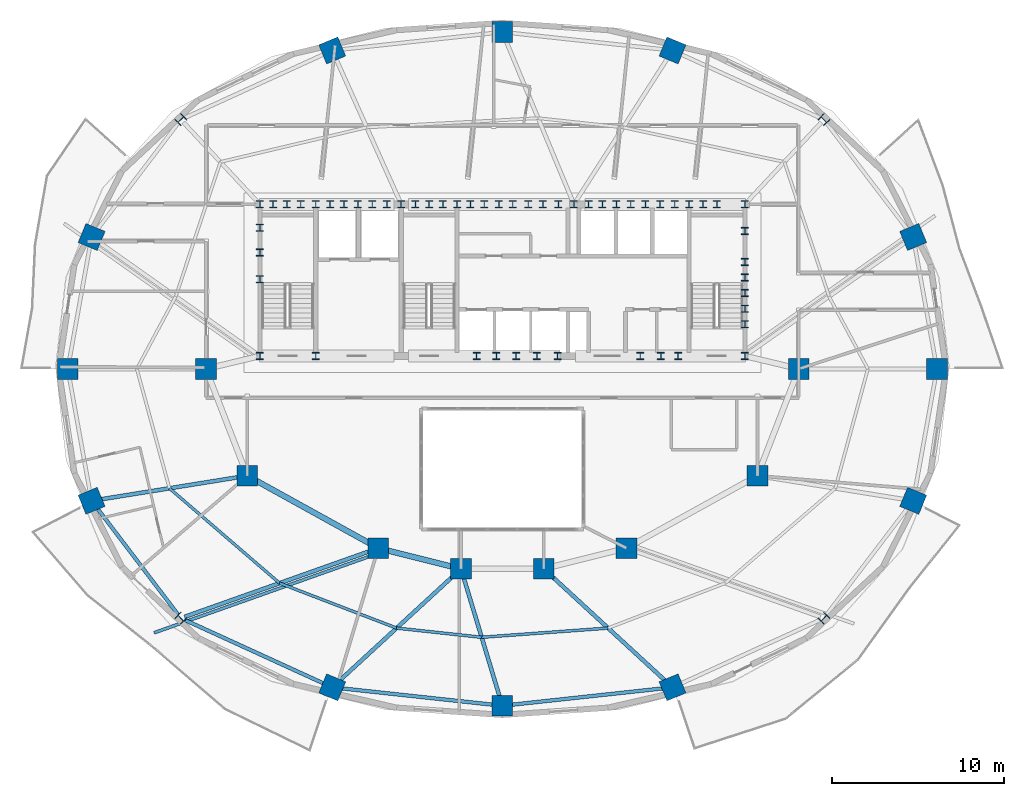
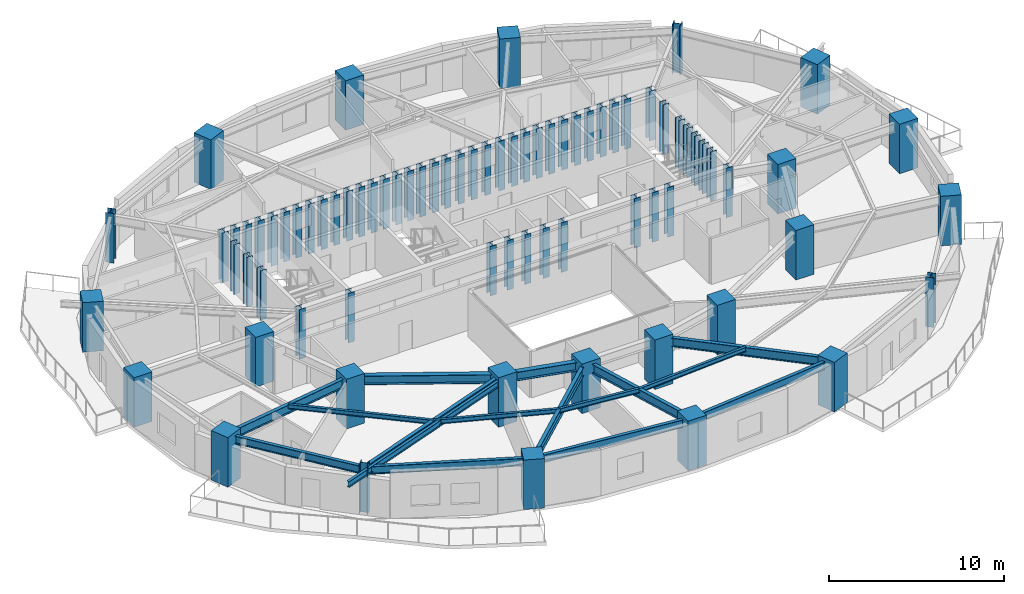
# One storey, part 1 of 13: 78 columns, 16 beams.
"""IFC4 building model written with IfcOpenShell, lengths in metres."""

import ifcopenshell
import ifcopenshell.guid

model = None  # the IFC model being written
_history = None  # IfcOwnerHistory: only IFC2X3 demands one
_inside = {}  # id of a spatial element -> (the spatial element, [elements in it])
_under = {}  # id of a project, library or spatial element -> (it, [spatial elements below it])
_declared = {}  # id of a project -> (the project, [libraries it declares])
_typed = {}  # id of a type object -> (the type object, [elements of that type])
_made_of = {}  # id of a material, layer set ... -> (it, [elements and type objects made of it])


def new_model(schema):
    """Start an empty IFC model of exactly this schema.

    Asked for "IFC4X3", IfcOpenShell would pick the latest addendum, in which some entities
    have other attributes; the version numbers below select the first issue.
    IFC2X3 requires an IfcOwnerHistory on every rooted entity: one is made here for all.
    """
    global model, _history
    if schema == "IFC4X3":
        model = ifcopenshell.file(schema_version=(4, 3, 0, 0))
    else:
        model = ifcopenshell.file(schema=schema)
    _inside.clear()
    _under.clear()
    _declared.clear()
    _typed.clear()
    _made_of.clear()
    _history = None
    if model.schema == "IFC2X3":
        org = make("IfcOrganization", Name="unknown")
        user = make(
            "IfcPersonAndOrganization",
            ThePerson=make("IfcPerson", FamilyName="unknown"),
            TheOrganization=org,
        )
        app = make(
            "IfcApplication",
            ApplicationDeveloper=org,
            Version="unknown",
            ApplicationFullName="unknown",
            ApplicationIdentifier="unknown",
        )
        _history = make(
            "IfcOwnerHistory",
            OwningUser=user,
            OwningApplication=app,
            ChangeAction="ADDED",
            CreationDate=0,
        )
    return model


def make(cls, **values):
    """One entity of the class cls with the attributes given. An attribute that is None is left unset."""
    return model.create_entity(
        cls, **{name: value for name, value in values.items() if value is not None}
    )


def rooted(cls, **values):
    """An entity with a GlobalId (a new one), such as an element, a storey or a relation."""
    return make(cls, GlobalId=ifcopenshell.guid.new(), OwnerHistory=_history, **values)


def si_unit(unit_type, name, prefix=None):
    """IfcSIUnit, for example si_unit("LENGTHUNIT", "METRE", prefix="MILLI")."""
    return make("IfcSIUnit", UnitType=unit_type, Prefix=prefix, Name=name)


def assignment(units):
    """IfcUnitAssignment: the units of a project."""
    return None if units is None else make("IfcUnitAssignment", Units=units)


def point(xyz):
    """IfcCartesianPoint."""
    return None if xyz is None else make("IfcCartesianPoint", Coordinates=xyz)


def direction(xyz):
    """IfcDirection."""
    return None if xyz is None else make("IfcDirection", DirectionRatios=xyz)


def frame(location, z_axis=None, x_axis=None):
    """IfcAxis2Placement3D, a coordinate frame: its origin and axes. An axis left out is left unset."""
    return make(
        "IfcAxis2Placement3D",
        Location=point(location),
        Axis=direction(z_axis),
        RefDirection=direction(x_axis),
    )


def frame_2d(location, x_axis=None):
    """IfcAxis2Placement2D, a coordinate frame in the plane: its origin and x axis."""
    return make(
        "IfcAxis2Placement2D", Location=point(location), RefDirection=direction(x_axis)
    )


def origin():
    """The frame at (0, 0, 0) with its axes left unset."""
    return frame((0.0, 0.0, 0.0))


def origin_2d():
    """The frame at (0, 0) in the plane with its x axis left unset."""
    return frame_2d((0.0, 0.0))


def place(relative_to, where):
    """IfcLocalPlacement: puts the frame where relative to a parent placement (None: the world)."""
    return make(
        "IfcLocalPlacement", PlacementRelTo=relative_to, RelativePlacement=where
    )


def context(
    kind, dimensions, precision=None, world=None, true_north=None, identifier=None
):
    """IfcGeometricRepresentationContext, for example the 3D "Model" context."""
    return make(
        "IfcGeometricRepresentationContext",
        ContextIdentifier=identifier,
        ContextType=kind,
        CoordinateSpaceDimension=dimensions,
        Precision=precision,
        WorldCoordinateSystem=world,
        TrueNorth=true_north,
    )


def subcontext(parent, identifier, kind, view, scale=None):
    """IfcGeometricRepresentationSubContext, for example "Body" below "Model"."""
    return make(
        "IfcGeometricRepresentationSubContext",
        ContextIdentifier=identifier,
        ContextType=kind,
        ParentContext=parent,
        TargetScale=scale,
        TargetView=view,
    )


def project(units=None, contexts=None):
    """IfcProject with its units and contexts."""
    return rooted(
        "IfcProject",
        Name="project",
        RepresentationContexts=contexts,
        UnitsInContext=assignment(units),
    )


def spatial(cls, under=None, at=None, **own):
    """A site, building, storey or space (cls), placed at a placement, below another one or the project."""
    s = rooted(cls, ObjectPlacement=at, **own)
    if under is not None:
        _under.setdefault(under.id(), (under, []))[1].append(s)
    return s


def profile(cls, at=None, kind="AREA", **sizes):
    """A parametric profile (cls). Its sizes go by their IFC names, for example OverallWidth=200.0."""
    return make(cls, ProfileType=kind, Position=at, **sizes)


def rectangle(**sizes):
    """IfcRectangleProfileDef."""
    return profile("IfcRectangleProfileDef", **sizes)


def i_section(**sizes):
    """IfcIShapeProfileDef."""
    return profile("IfcIShapeProfileDef", **sizes)


def extrude(swept, where, along, depth):
    """IfcExtrudedAreaSolid: the profile swept, set in the frame where, extruded along a direction by depth."""
    return make(
        "IfcExtrudedAreaSolid",
        SweptArea=swept,
        Position=where,
        ExtrudedDirection=direction(along),
        Depth=depth,
    )


def shape(context_of_items, identifier, shape_type, items):
    """IfcShapeRepresentation: the items that make up one representation, for example the "Body"."""
    return make(
        "IfcShapeRepresentation",
        ContextOfItems=context_of_items,
        RepresentationIdentifier=identifier,
        RepresentationType=shape_type,
        Items=items,
    )


def material(Name=None, Category=None):
    """IfcMaterial."""
    return make("IfcMaterial", Name=Name, Category=Category)


def material_profile(
    of_material, cross_section, Name=None, Category=None, Priority=None
):
    """IfcMaterialProfile: a cross section and its material."""
    return make(
        "IfcMaterialProfile",
        Name=Name,
        Material=of_material,
        Profile=cross_section,
        Priority=Priority,
        Category=Category,
    )


def profile_set(profiles, Name=None, composite=None):
    """IfcMaterialProfileSet."""
    return make(
        "IfcMaterialProfileSet",
        Name=Name,
        MaterialProfiles=profiles,
        CompositeProfile=composite,
    )


def made_of(thing, what):
    """Note that an element or type object is made of a material, layer set ...; save() writes the relation."""
    if what is not None:
        _made_of.setdefault(what.id(), (what, []))[1].append(thing)
    return thing


def type_object(cls, material=None, **own):
    """A type object (cls), such as IfcWallType, which elements share."""
    return made_of(rooted(cls, **own), material)


def element(
    cls,
    number,
    at=None,
    inside=None,
    cuts=None,
    type_object=None,
    material=None,
    context=None,
    identifier="Body",
    shape_type=None,
    held_by="IfcProductDefinitionShape",
    body=None,
    shapes=None,
    **own,
):
    """One element of the class cls, such as IfcWall. Its Tag is "e" and its number.

    at: its placement. inside: the storey or other place that contains it. cuts: it is an
    opening in that element (IfcRelVoidsElement). A single representation is given by context,
    identifier, shape_type and body (its items); several are given by shapes. held_by: the class
    of the entity that holds the representations. save() writes the other relations.
    """
    e = rooted(cls, Tag="e%d" % number, ObjectPlacement=at, **own)
    if body is not None:
        shapes = [shape(context, identifier, shape_type, body)]
    if shapes is not None:
        e.Representation = make(held_by, Representations=shapes)
    if inside is not None:
        _inside.setdefault(inside.id(), (inside, []))[1].append(e)
    if cuts is not None:
        rooted(
            "IfcRelVoidsElement", RelatingBuildingElement=cuts, RelatedOpeningElement=e
        )
    if type_object is not None:
        _typed.setdefault(type_object.id(), (type_object, []))[1].append(e)
    return made_of(e, material)


def aggregate(whole, parts):
    """IfcRelAggregates: a whole, such as a stair, and the parts it consists of."""
    return rooted("IfcRelAggregates", RelatingObject=whole, RelatedObjects=parts)


def save(model, path):
    """Write the relations noted so far, then the file.

    IfcRelAggregates (storeys below a building ...), IfcRelContainedInSpatialStructure (elements
    in a storey), IfcRelDefinesByType, IfcRelAssociatesMaterial and IfcRelDeclares: one each for
    every whole, place, type object, material and project.
    """
    for whole, parts in _under.values():
        aggregate(whole, parts)
    for where, things in _inside.values():
        rooted(
            "IfcRelContainedInSpatialStructure",
            RelatedElements=things,
            RelatingStructure=where,
        )
    for kind, things in _typed.values():
        rooted("IfcRelDefinesByType", RelatedObjects=things, RelatingType=kind)
    for what, things in _made_of.values():
        rooted("IfcRelAssociatesMaterial", RelatedObjects=things, RelatingMaterial=what)
    for by, libraries in _declared.values():
        rooted("IfcRelDeclares", RelatingContext=by, RelatedDefinitions=libraries)
    model.write(path)


model = new_model("IFC4")

# Units and contexts
model_context = context("Model", 3, precision=1e-05, world=origin(), true_north=direction((0.0, 1.0)))
body_context = subcontext(model_context, "Body", "Model", "MODEL_VIEW")
ifc_project = project(units=[si_unit("LENGTHUNIT", "METRE"), si_unit("AREAUNIT", "SQUARE_METRE"), si_unit("VOLUMEUNIT", "CUBIC_METRE"), si_unit("PLANEANGLEUNIT", "RADIAN"), si_unit("MASSUNIT", "GRAM", prefix="KILO")], contexts=[model_context])

# Site, building, storey
site_placement = place(None, origin())
site = spatial("IfcSite", under=ifc_project, at=site_placement, CompositionType="ELEMENT")
building_placement = place(site_placement, origin())
building = spatial("IfcBuilding", under=site, at=building_placement, Name="Haldorwick Loom Tower", CompositionType="ELEMENT")
storey_placement = place(building_placement, frame((0.0, 0.0, 175.14990234375)))
storey = spatial("IfcBuildingStorey", under=building, at=storey_placement, Name="L47", CompositionType="ELEMENT", Elevation=175.14990234375)

# Columns
ifc_material_1 = material(Name="Concrete C60 (60 MPa)", Category="concrete")
ifc_material_profile_1 = material_profile(ifc_material_1, rectangle(XDim=1.199951171875, YDim=1.199951171875, at=origin_2d()), Name="RC1200X1200", Category="concrete")
ifc_profile_set_1 = profile_set([ifc_material_profile_1], Name="Concrete C60 (60 MPa)")
column_type_1 = type_object("IfcColumnType", Name="STR-COL-RC1200", PredefinedType="COLUMN", material=ifc_profile_set_1)
for number, where, z_axis, x_axis, name in (
    (1, (53.199951171875, 26.0, 0.0), (0.0, 0.0, 1.0), (1.0, 0.0, 0.0), "L47 Inner Column IC-01"),
    (2, (50.800048828125, 19.800048828125, 0.0), (0.0, 0.0, 1.0), (1.0, 0.0, 0.0), "L47 Inner Column IC-02"),
    (3, (43.199951171875, 15.60009765625, 0.0), (0.0, 0.0, 1.0), (1.0, 0.0, 0.0), "L47 Inner Column IC-03"),
    (4, (38.39990234375, 14.39990234375, 0.0), (0.0, 0.0, 1.0), (1.0, 0.0, 0.0), "L47 Inner Column IC-04"),
    (5, (33.60009765625, 14.39990234375, 0.0), (0.0, 0.0, 1.0), (1.0, 0.0, 0.0), "L47 Inner Column IC-05"),
    (6, (28.800048828125, 15.60009765625, 0.0), (0.0, 0.0, 1.0), (1.0, 0.0, 0.0), "L47 Inner Column IC-06"),
    (7, (21.199951171875, 19.800048828125, 0.0), (0.0, 0.0, 1.0), (1.0, 0.0, 0.0), "L47 Inner Column IC-07"),
    (8, (18.800048828125, 26.0, 0.0), (0.0, 0.0, 1.0), (1.0, 0.0, 0.0), "L47 Inner Column IC-08"),
    (9, (61.217041015625, 26.0, 0.0), (0.0, 0.0, 1.0), (1.0, 0.0, 0.0), "L47 Perimeter Pier Column P01"),
    (10, (59.836181640625, 33.65380859375, 0.0), (0.0, 0.0, 1.0), (0.923879532511, 0.382683432365, 0.0), "L47 Perimeter Pier Column P02"),
    (11, (45.873291015625, 44.4775390625, 0.0), (0.0, 0.0, 1.0), (0.382683432365, 0.923879532511, 0.0), "L47 Perimeter Pier Column P04"),
    (12, (36.0, 45.544677734375, 0.0), (0.0, 0.0, 1.0), (0.0, 1.0, 0.0), "L47 Perimeter Pier Column P05"),
    (13, (26.126708984375, 44.4775390625, 0.0), (0.0, 0.0, 1.0), (-0.382683432365, 0.923879532511, 0.0), "L47 Perimeter Pier Column P06"),
    (14, (12.163818359375, 33.65380859375, 0.0), (0.0, 0.0, 1.0), (-0.923879532511, 0.382683432365, 0.0), "L47 Perimeter Pier Column P08"),
    (15, (10.782958984375, 26.0, 0.0), (0.0, 0.0, 1.0), (-1.0, 0.0, 0.0), "L47 Perimeter Pier Column P09"),
    (16, (12.163818359375, 18.34619140625, 0.0), (0.0, 0.0, 1.0), (-0.923879532511, -0.382683432365, 0.0), "L47 Perimeter Pier Column P10"),
    (17, (26.126708984375, 7.5224609375, 0.0), (0.0, 0.0, 1.0), (-0.382683432365, -0.923879532511, 0.0), "L47 Perimeter Pier Column P12"),
    (18, (36.0, 6.455322265625, 0.0), (0.0, 0.0, 1.0), (0.0, -1.0, 0.0), "L47 Perimeter Pier Column P13"),
    (19, (45.873291015625, 7.5224609375, 0.0), (0.0, 0.0, 1.0), (0.382683432365, -0.923879532511, 0.0), "L47 Perimeter Pier Column P14"),
    (20, (59.836181640625, 18.34619140625, 0.0), (0.0, 0.0, 1.0), (0.923879532511, -0.382683432365, 0.0), "L47 Perimeter Pier Column P16"),
):
    element("IfcColumn", number, at=place(storey_placement, frame(where, z_axis=z_axis, x_axis=x_axis)), inside=storey, type_object=column_type_1, Name=name, PredefinedType="COLUMN", context=body_context, shape_type="SweptSolid", body=[
        extrude(rectangle(XDim=1.199951171875, YDim=1.199951171875, at=origin_2d()), origin(), (0.0, 0.0, 1.0), 3.4501953125),
    ])
ifc_material_2 = material(Name="Steel CSA G40.21 350W", Category="steel")
ifc_material_profile_2 = material_profile(ifc_material_2, i_section(OverallWidth=0.406005859375, OverallDepth=0.416015625, WebThickness=0.024169921875, FlangeThickness=0.03857421875, at=origin_2d()), Name="W360X382", Category="steel")
ifc_profile_set_2 = profile_set([ifc_material_profile_2], Name="Steel CSA G40.21 350W")
column_type_2 = type_object("IfcColumnType", Name="STR-COL-W360X382", PredefinedType="COLUMN", material=ifc_profile_set_2)
for number, where, z_axis, x_axis, name in (
    (21, (21.929931640625, 35.550048828125, 0.0), (0.0, 0.0, 1.0), (1.0, 0.0, 0.0), "L47 Core Pilaster CB-01"),
    (22, (23.5, 35.550048828125, 0.0), (0.0, 0.0, 1.0), (1.0, 0.0, 0.0), "L47 Core Pilaster CB-02"),
    (23, (25.169921875, 35.550048828125, 0.0), (0.0, 0.0, 1.0), (1.0, 0.0, 0.0), "L47 Core Pilaster CB-03"),
    (24, (26.800048828125, 35.550048828125, 0.0), (0.0, 0.0, 1.0), (1.0, 0.0, 0.0), "L47 Core Pilaster CB-04"),
    (25, (28.449951171875, 35.550048828125, 0.0), (0.0, 0.0, 1.0), (1.0, 0.0, 0.0), "L47 Core Pilaster CB-05"),
    (26, (30.1298828125, 35.550048828125, 0.0), (0.0, 0.0, 1.0), (1.0, 0.0, 0.0), "L47 Core Pilaster CB-06"),
    (27, (31.75, 35.550048828125, 0.0), (0.0, 0.0, 1.0), (1.0, 0.0, 0.0), "L47 Core Pilaster CB-07"),
    (28, (33.3701171875, 35.550048828125, 0.0), (0.0, 0.0, 1.0), (1.0, 0.0, 0.0), "L47 Core Pilaster CB-08"),
    (29, (34.949951171875, 35.550048828125, 0.0), (0.0, 0.0, 1.0), (1.0, 0.0, 0.0), "L47 Core Pilaster CB-09"),
    (30, (36.60009765625, 35.550048828125, 0.0), (0.0, 0.0, 1.0), (1.0, 0.0, 0.0), "L47 Core Pilaster CB-10"),
    (31, (38.35009765625, 35.550048828125, 0.0), (0.0, 0.0, 1.0), (1.0, 0.0, 0.0), "L47 Core Pilaster CB-11"),
    (32, (40.14990234375, 35.550048828125, 0.0), (0.0, 0.0, 1.0), (1.0, 0.0, 0.0), "L47 Core Pilaster CB-12"),
    (33, (41.800048828125, 35.550048828125, 0.0), (0.0, 0.0, 1.0), (1.0, 0.0, 0.0), "L47 Core Pilaster CB-13"),
    (34, (43.449951171875, 35.550048828125, 0.0), (0.0, 0.0, 1.0), (1.0, 0.0, 0.0), "L47 Core Pilaster CB-14"),
    (35, (45.14990234375, 35.550048828125, 0.0), (0.0, 0.0, 1.0), (1.0, 0.0, 0.0), "L47 Core Pilaster CB-15"),
    (36, (46.830078125, 35.550048828125, 0.0), (0.0, 0.0, 1.0), (1.0, 0.0, 0.0), "L47 Core Pilaster CB-16"),
    (37, (48.449951171875, 35.550048828125, 0.0), (0.0, 0.0, 1.0), (1.0, 0.0, 0.0), "L47 Core Pilaster CB-17"),
    (38, (50.070068359375, 35.550048828125, 0.0), (0.0, 0.0, 1.0), (1.0, 0.0, 0.0), "L47 Core Pilaster CB-18"),
    (39, (21.929931640625, 26.75, 0.0), (0.0, 0.0, 1.0), (1.0, 0.0, 0.0), "L47 Core Pilaster CB-19"),
    (40, (25.169921875, 26.75, 0.0), (0.0, 0.0, 1.0), (1.0, 0.0, 0.0), "L47 Core Pilaster CB-20"),
    (41, (34.5, 26.75, 0.0), (0.0, 0.0, 1.0), (1.0, 0.0, 0.0), "L47 Core Pilaster CB-21"),
    (42, (36.800048828125, 26.75, 0.0), (0.0, 0.0, 1.0), (1.0, 0.0, 0.0), "L47 Core Pilaster CB-22"),
    (43, (39.199951171875, 26.75, 0.0), (0.0, 0.0, 1.0), (1.0, 0.0, 0.0), "L47 Core Pilaster CB-23"),
    (44, (45.199951171875, 26.75, 0.0), (0.0, 0.0, 1.0), (1.0, 0.0, 0.0), "L47 Core Pilaster CB-24"),
    (45, (50.070068359375, 26.75, 0.0), (0.0, 0.0, 1.0), (1.0, 0.0, 0.0), "L47 Core Pilaster CB-25"),
    (46, (21.929931640625, 31.199951171875, 0.0), (0.0, 0.0, 1.0), (1.0, 0.0, 0.0), "L47 Core Pilaster CB-26"),
    (47, (21.929931640625, 32.75, 0.0), (0.0, 0.0, 1.0), (1.0, 0.0, 0.0), "L47 Core Pilaster CB-27"),
    (48, (21.929931640625, 34.199951171875, 0.0), (0.0, 0.0, 1.0), (1.0, 0.0, 0.0), "L47 Core Pilaster CB-28"),
    (49, (50.070068359375, 28.60009765625, 0.0), (0.0, 0.0, 1.0), (1.0, 0.0, 0.0), "L47 Core Pilaster CB-29"),
    (50, (50.070068359375, 30.39990234375, 0.0), (0.0, 0.0, 1.0), (1.0, 0.0, 0.0), "L47 Core Pilaster CB-30"),
    (51, (50.070068359375, 32.199951171875, 0.0), (0.0, 0.0, 1.0), (1.0, 0.0, 0.0), "L47 Core Pilaster CB-31"),
    (52, (50.070068359375, 34.0, 0.0), (0.0, 0.0, 1.0), (1.0, 0.0, 0.0), "L47 Core Pilaster CB-32"),
    (53, (22.699951171875, 35.550048828125, 0.0), (0.0, 0.0, 1.0), (1.0, 0.0, 0.0), "L47 Core Pilaster CB-33"),
    (54, (27.6201171875, 35.550048828125, 0.0), (0.0, 0.0, 1.0), (1.0, 0.0, 0.0), "L47 Core Pilaster CB-34"),
    (55, (32.550048828125, 35.550048828125, 0.0), (0.0, 0.0, 1.0), (1.0, 0.0, 0.0), "L47 Core Pilaster CB-35"),
    (56, (37.5, 35.550048828125, 0.0), (0.0, 0.0, 1.0), (1.0, 0.0, 0.0), "L47 Core Pilaster CB-36"),
    (57, (42.6201171875, 35.550048828125, 0.0), (0.0, 0.0, 1.0), (1.0, 0.0, 0.0), "L47 Core Pilaster CB-37"),
    (58, (47.64990234375, 35.550048828125, 0.0), (0.0, 0.0, 1.0), (1.0, 0.0, 0.0), "L47 Core Pilaster CB-38"),
    (59, (24.300048828125, 35.550048828125, 0.0), (0.0, 0.0, 1.0), (1.0, 0.0, 0.0), "L47 Core Pilaster CB-39"),
    (60, (26.0, 35.550048828125, 0.0), (0.0, 0.0, 1.0), (1.0, 0.0, 0.0), "L47 Core Pilaster CB-40"),
    (61, (29.300048828125, 35.550048828125, 0.0), (0.0, 0.0, 1.0), (1.0, 0.0, 0.0), "L47 Core Pilaster CB-41"),
    (62, (30.949951171875, 35.550048828125, 0.0), (0.0, 0.0, 1.0), (1.0, 0.0, 0.0), "L47 Core Pilaster CB-42"),
    (63, (34.14990234375, 35.550048828125, 0.0), (0.0, 0.0, 1.0), (1.0, 0.0, 0.0), "L47 Core Pilaster CB-43"),
    (64, (35.800048828125, 35.550048828125, 0.0), (0.0, 0.0, 1.0), (1.0, 0.0, 0.0), "L47 Core Pilaster CB-44"),
    (65, (39.25, 35.550048828125, 0.0), (0.0, 0.0, 1.0), (1.0, 0.0, 0.0), "L47 Core Pilaster CB-45"),
    (66, (41.0, 35.550048828125, 0.0), (0.0, 0.0, 1.0), (1.0, 0.0, 0.0), "L47 Core Pilaster CB-46"),
    (67, (44.300048828125, 35.550048828125, 0.0), (0.0, 0.0, 1.0), (1.0, 0.0, 0.0), "L47 Core Pilaster CB-47"),
    (68, (46.0, 35.550048828125, 0.0), (0.0, 0.0, 1.0), (1.0, 0.0, 0.0), "L47 Core Pilaster CB-48"),
    (69, (50.070068359375, 29.5, 0.0), (0.0, 0.0, 1.0), (1.0, 0.0, 0.0), "L47 Core Pilaster CB-49"),
    (70, (50.070068359375, 31.300048828125, 0.0), (0.0, 0.0, 1.0), (1.0, 0.0, 0.0), "L47 Core Pilaster CB-50"),
    (71, (35.64990234375, 26.75, 0.0), (0.0, 0.0, 1.0), (1.0, 0.0, 0.0), "L47 Core Pilaster CB-51"),
    (72, (38.0, 26.75, 0.0), (0.0, 0.0, 1.0), (1.0, 0.0, 0.0), "L47 Core Pilaster CB-52"),
    (73, (44.0, 26.75, 0.0), (0.0, 0.0, 1.0), (1.0, 0.0, 0.0), "L47 Core Pilaster CB-53"),
    (74, (46.199951171875, 26.75, 0.0), (0.0, 0.0, 1.0), (1.0, 0.0, 0.0), "L47 Core Pilaster CB-54"),
):
    element("IfcColumn", number, at=place(storey_placement, frame(where, z_axis=z_axis, x_axis=x_axis)), inside=storey, type_object=column_type_2, Name=name, PredefinedType="COLUMN", context=body_context, shape_type="SweptSolid", body=[
        extrude(i_section(OverallWidth=0.406005859375, OverallDepth=0.416015625, WebThickness=0.024169921875, FlangeThickness=0.03857421875, at=origin_2d()), origin(), (0.0, 0.0, 1.0), 3.4501953125),
    ])
ifc_material_3 = material(Name="Steel CSA G40.21 350WT", Category="steel")
ifc_material_profile_3 = material_profile(ifc_material_3, i_section(OverallWidth=0.5, OverallDepth=0.5, WebThickness=0.02197265625, FlangeThickness=0.031982421875, at=origin_2d()), Name="WWF500X500", Category="steel")
ifc_profile_set_3 = profile_set([ifc_material_profile_3], Name="Steel CSA G40.21 350WT")
column_type_3 = type_object("IfcColumnType", Name="STR-COL-WWF500", PredefinedType="COLUMN", material=ifc_profile_set_3)
for number, where, z_axis, x_axis, name in (
    (75, (54.655517578125, 40.464111328125, 0.0), (0.0, 0.0, 1.0), (0.707106781187, 0.707106781187, 0.0), "L47 Perimeter Pier Column P03"),
    (76, (17.344482421875, 40.464111328125, 0.0), (0.0, 0.0, 1.0), (-0.707106781187, 0.707106781187, 0.0), "L47 Perimeter Pier Column P07"),
    (77, (17.344482421875, 11.535888671875, 0.0), (0.0, 0.0, 1.0), (-0.707106781187, -0.707106781187, 0.0), "L47 Perimeter Pier Column P11"),
    (78, (54.655517578125, 11.535888671875, 0.0), (0.0, 0.0, 1.0), (0.707106781187, -0.707106781187, 0.0), "L47 Perimeter Pier Column P15"),
):
    element("IfcColumn", number, at=place(storey_placement, frame(where, z_axis=z_axis, x_axis=x_axis)), inside=storey, type_object=column_type_3, Name=name, PredefinedType="COLUMN", context=body_context, shape_type="SweptSolid", body=[
        extrude(i_section(OverallWidth=0.5, OverallDepth=0.5, WebThickness=0.02197265625, FlangeThickness=0.031982421875, at=origin_2d()), origin(), (0.0, 0.0, 1.0), 3.4501953125),
    ])

# Beams
ifc_material_profile_4 = material_profile(ifc_material_2, i_section(OverallWidth=0.179931640625, OverallDepth=0.4130859375, WebThickness=0.009765625, FlangeThickness=0.01611328125, at=origin_2d()), Name="W410X74", Category="steel")
ifc_profile_set_4 = profile_set([ifc_material_profile_4], Name="Steel CSA G40.21 350W")
beam_type_1 = type_object("IfcBeamType", Name="STR-BM-BAL410", PredefinedType="BEAM", material=ifc_profile_set_4)
beam_1_placement = place(storey_placement, frame((28.403564453125, 15.162109375, 3.003662109375), z_axis=(-0.942447955832, -0.334352883266, 0.0), x_axis=(0.334352883266, -0.942447955832, 0.0)))
element("IfcBeam", 79, at=beam_1_placement, inside=storey, type_object=beam_type_1, Name="L47 Continuous Back-Spanned Balcony Beam 2", PredefinedType="BEAM", context=body_context, shape_type="SweptSolid", body=[
    extrude(i_section(OverallWidth=0.179931640625, OverallDepth=0.4130859375, WebThickness=0.009765625, FlangeThickness=0.01611328125, at=origin_2d()), origin(), (0.0, 0.0, 1.0), 13.385009765625),
])
ifc_material_profile_5 = material_profile(ifc_material_2, i_section(OverallWidth=0.166015625, OverallDepth=0.31298828125, WebThickness=0.006591796875, FlangeThickness=0.01123046875, at=origin_2d()), Name="W310X45", Category="steel")
ifc_profile_set_5 = profile_set([ifc_material_profile_5], Name="Steel CSA G40.21 350W")
beam_type_2 = type_object("IfcBeamType", Name="STR-BM-J310", PredefinedType="JOIST", material=ifc_profile_set_5)
beam_2_placement = place(storey_placement, frame((16.681884765625, 19.072998046875, 3.0537109375), z_axis=(0.75763401328, -0.652679631918, 0.0), x_axis=(0.652679631918, 0.75763401328, 0.0)))
element("IfcBeam", 80, at=beam_2_placement, inside=storey, type_object=beam_type_2, Name="L47 Mid-Bay Secondary Joist 10", PredefinedType="JOIST", context=body_context, shape_type="SweptSolid", body=[
    extrude(i_section(OverallWidth=0.166015625, OverallDepth=0.31298828125, WebThickness=0.006591796875, FlangeThickness=0.01123046875, at=origin_2d()), origin(), (0.0, 0.0, 1.0), 8.4345703125),
])
beam_3_placement = place(storey_placement, frame((23.072265625, 13.56787109375, 3.0537109375), z_axis=(0.933586737031, -0.358351509609, 0.0), x_axis=(0.358351509609, 0.933586737031, 0.0)))
element("IfcBeam", 81, at=beam_3_placement, inside=storey, type_object=beam_type_2, Name="L47 Mid-Bay Secondary Joist 11", PredefinedType="JOIST", context=body_context, shape_type="SweptSolid", body=[
    extrude(i_section(OverallWidth=0.166015625, OverallDepth=0.31298828125, WebThickness=0.006591796875, FlangeThickness=0.01123046875, at=origin_2d()), origin(), (0.0, 0.0, 1.0), 7.274169921875),
])
beam_4_placement = place(storey_placement, frame((29.86328125, 10.961181640625, 3.0537109375), z_axis=(0.994212584227, -0.107430616514, 0.0), x_axis=(0.107430616514, 0.994212584227, 0.0)))
element("IfcBeam", 82, at=beam_4_placement, inside=storey, type_object=beam_type_2, Name="L47 Mid-Bay Secondary Joist 12", PredefinedType="JOIST", context=body_context, shape_type="SweptSolid", body=[
    extrude(i_section(OverallWidth=0.166015625, OverallDepth=0.31298828125, WebThickness=0.006591796875, FlangeThickness=0.01123046875, at=origin_2d()), origin(), (0.0, 0.0, 1.0), 4.965576171875),
])
beam_5_placement = place(storey_placement, frame((34.800048828125, 10.427734375, 3.0537109375), z_axis=(0.997367082818, 0.072518288109, 0.0), x_axis=(-0.072518288109, 0.997367082818, 0.0)))
element("IfcBeam", 83, at=beam_5_placement, inside=storey, type_object=beam_type_2, Name="L47 Mid-Bay Secondary Joist 13", PredefinedType="JOIST", context=body_context, shape_type="SweptSolid", body=[
    extrude(i_section(OverallWidth=0.166015625, OverallDepth=0.31298828125, WebThickness=0.006591796875, FlangeThickness=0.01123046875, at=origin_2d()), origin(), (0.0, 0.0, 1.0), 7.35595703125),
])
ifc_material_profile_6 = material_profile(ifc_material_2, i_section(OverallWidth=0.2119140625, OverallDepth=0.5439453125, WebThickness=0.01318359375, FlangeThickness=0.021240234375, at=origin_2d()), Name="W530X123", Category="steel")
ifc_profile_set_6 = profile_set([ifc_material_profile_6], Name="Steel CSA G40.21 350W")
beam_type_3 = type_object("IfcBeamType", Name="STR-BM-SP530", PredefinedType="SPANDREL", material=ifc_profile_set_6)
beam_6_placement = place(storey_placement, frame((12.478759765625, 17.932373046875, 2.93798828125), z_axis=(0.605421569293, -0.79590497136, 0.0), x_axis=(0.79590497136, 0.605421569293, 0.0)))
element("IfcBeam", 84, at=beam_6_placement, inside=storey, type_object=beam_type_3, Name="L47 Perimeter Spandrel 10", PredefinedType="SPANDREL", context=body_context, shape_type="SweptSolid", body=[
    extrude(i_section(OverallWidth=0.2119140625, OverallDepth=0.5439453125, WebThickness=0.01318359375, FlangeThickness=0.021240234375, at=origin_2d()), origin(), (0.0, 0.0, 1.0), 7.81201171875),
])
beam_7_placement = place(storey_placement, frame((17.549072265625, 11.4423828125, 2.93798828125), z_axis=(0.909523899848, -0.415651627695, 0.0), x_axis=(0.415651627695, 0.909523899848, 0.0)))
element("IfcBeam", 85, at=beam_7_placement, inside=storey, type_object=beam_type_3, Name="L47 Perimeter Spandrel 11", PredefinedType="SPANDREL", context=body_context, shape_type="SweptSolid", body=[
    extrude(i_section(OverallWidth=0.2119140625, OverallDepth=0.5439453125, WebThickness=0.01318359375, FlangeThickness=0.021240234375, at=origin_2d()), origin(), (0.0, 0.0, 1.0), 8.910888671875),
])
for number, where, z_axis, x_axis, name in (
    (86, (26.643798828125, 7.466552734375, 2.93798828125), (0.994210140187, -0.107453232386, 0.0), (0.107453232386, 0.994210140187, 0.0), "L47 Perimeter Spandrel 12"),
    (87, (36.51708984375, 6.51123046875, 2.93798828125), (0.994210140187, 0.107453232386, 0.0), (-0.107453232386, 0.994210140187, 0.0), "L47 Perimeter Spandrel 13"),
):
    element("IfcBeam", number, at=place(storey_placement, frame(where, z_axis=z_axis, x_axis=x_axis)), inside=storey, type_object=beam_type_3, Name=name, PredefinedType="SPANDREL", context=body_context, shape_type="SweptSolid", body=[
        extrude(i_section(OverallWidth=0.2119140625, OverallDepth=0.5439453125, WebThickness=0.01318359375, FlangeThickness=0.021240234375, at=origin_2d()), origin(), (0.0, 0.0, 1.0), 8.890625),
    ])
ifc_material_profile_7 = material_profile(ifc_material_2, i_section(OverallWidth=0.324951171875, OverallDepth=0.615966796875, WebThickness=0.013916015625, FlangeThickness=0.021484375, at=origin_2d()), Name="W610X174", Category="steel")
ifc_profile_set_7 = profile_set([ifc_material_profile_7], Name="Steel CSA G40.21 350W")
beam_type_4 = type_object("IfcBeamType", Name="STR-BM-W610A", PredefinedType="BEAM", material=ifc_profile_set_7)
beam_8_placement = place(storey_placement, frame((33.095458984375, 14.526123046875, 2.902099609375), z_axis=(-0.970142500145, 0.242535625036, 0.0), x_axis=(-0.242535625036, -0.970142500145, 0.0)))
element("IfcBeam", 88, at=beam_8_placement, inside=storey, type_object=beam_type_4, Name="L47 Inner Ring Girder 6", PredefinedType="BEAM", context=body_context, shape_type="SweptSolid", body=[
    extrude(i_section(OverallWidth=0.324951171875, OverallDepth=0.615966796875, WebThickness=0.013916015625, FlangeThickness=0.021484375, at=origin_2d()), origin(), (0.0, 0.0, 1.0), 3.90771484375),
])
beam_9_placement = place(storey_placement, frame((28.344970703125, 15.8515625, 2.902099609375), z_axis=(-0.875244382146, 0.483680960471, 0.0), x_axis=(-0.483680960471, -0.875244382146, 0.0)))
element("IfcBeam", 89, at=beam_9_placement, inside=storey, type_object=beam_type_4, Name="L47 Inner Ring Girder 7", PredefinedType="BEAM", context=body_context, shape_type="SweptSolid", body=[
    extrude(i_section(OverallWidth=0.324951171875, OverallDepth=0.615966796875, WebThickness=0.013916015625, FlangeThickness=0.021484375, at=origin_2d()), origin(), (0.0, 0.0, 1.0), 7.6435546875),
])
ifc_material_profile_8 = material_profile(ifc_material_2, i_section(OverallWidth=0.22998046875, OverallDepth=0.616943359375, WebThickness=0.01318359375, FlangeThickness=0.022216796875, at=origin_2d()), Name="W610X140", Category="steel")
ifc_profile_set_8 = profile_set([ifc_material_profile_8], Name="Steel CSA G40.21 350W")
beam_type_5 = type_object("IfcBeamType", Name="STR-BM-W610B", PredefinedType="BEAM", material=ifc_profile_set_8)
beam_10_placement = place(storey_placement, frame((20.6865234375, 19.71728515625, 2.901611328125), z_axis=(-0.987308639475, -0.158813256432, 0.0), x_axis=(0.158813256432, -0.987308639475, 0.0)))
element("IfcBeam", 90, at=beam_10_placement, inside=storey, type_object=beam_type_5, Name="L47 Radial Floor Girder 10", PredefinedType="BEAM", context=body_context, shape_type="SweptSolid", body=[
    extrude(i_section(OverallWidth=0.22998046875, OverallDepth=0.616943359375, WebThickness=0.01318359375, FlangeThickness=0.022216796875, at=origin_2d()), origin(), (0.0, 0.0, 1.0), 8.1123046875),
])
beam_11_placement = place(storey_placement, frame((28.309814453125, 15.426025390625, 2.901611328125), z_axis=(-0.942449496381, -0.334348540854, 0.0), x_axis=(0.334348540854, -0.942449496381, 0.0)))
element("IfcBeam", 91, at=beam_11_placement, inside=storey, type_object=beam_type_5, Name="L47 Radial Floor Girder 11", PredefinedType="BEAM", context=body_context, shape_type="SweptSolid", body=[
    extrude(i_section(OverallWidth=0.22998046875, OverallDepth=0.616943359375, WebThickness=0.01318359375, FlangeThickness=0.022216796875, at=origin_2d()), origin(), (0.0, 0.0, 1.0), 11.41015625),
])
beam_12_placement = place(storey_placement, frame((33.21728515625, 14.0478515625, 2.901611328125), z_axis=(-0.735810902934, -0.677187060658, 0.0), x_axis=(0.677187060658, -0.735810902934, 0.0)))
element("IfcBeam", 92, at=beam_12_placement, inside=storey, type_object=beam_type_5, Name="L47 Radial Floor Girder 12", PredefinedType="BEAM", context=body_context, shape_type="SweptSolid", body=[
    extrude(i_section(OverallWidth=0.22998046875, OverallDepth=0.616943359375, WebThickness=0.01318359375, FlangeThickness=0.022216796875, at=origin_2d()), origin(), (0.0, 0.0, 1.0), 9.1162109375),
])
beam_13_placement = place(storey_placement, frame((33.75048828125, 13.902099609375, 2.901611328125), z_axis=(0.28917091681, -0.957277483738, 0.0), x_axis=(0.957277483738, 0.28917091681, 0.0)))
element("IfcBeam", 93, at=beam_13_placement, inside=storey, type_object=beam_type_5, Name="L47 Radial Floor Girder 13", PredefinedType="BEAM", context=body_context, shape_type="SweptSolid", body=[
    extrude(i_section(OverallWidth=0.22998046875, OverallDepth=0.616943359375, WebThickness=0.01318359375, FlangeThickness=0.022216796875, at=origin_2d()), origin(), (0.0, 0.0, 1.0), 7.259033203125),
])
beam_14_placement = place(storey_placement, frame((38.78271484375, 14.0478515625, 2.901611328125), z_axis=(0.735810902934, -0.677187060658, 0.0), x_axis=(0.677187060658, 0.735810902934, 0.0)))
element("IfcBeam", 94, at=beam_14_placement, inside=storey, type_object=beam_type_5, Name="L47 Radial Floor Girder 14", PredefinedType="BEAM", context=body_context, shape_type="SweptSolid", body=[
    extrude(i_section(OverallWidth=0.22998046875, OverallDepth=0.616943359375, WebThickness=0.01318359375, FlangeThickness=0.022216796875, at=origin_2d()), origin(), (0.0, 0.0, 1.0), 9.1162109375),
])

save(model, "model.ifc")
